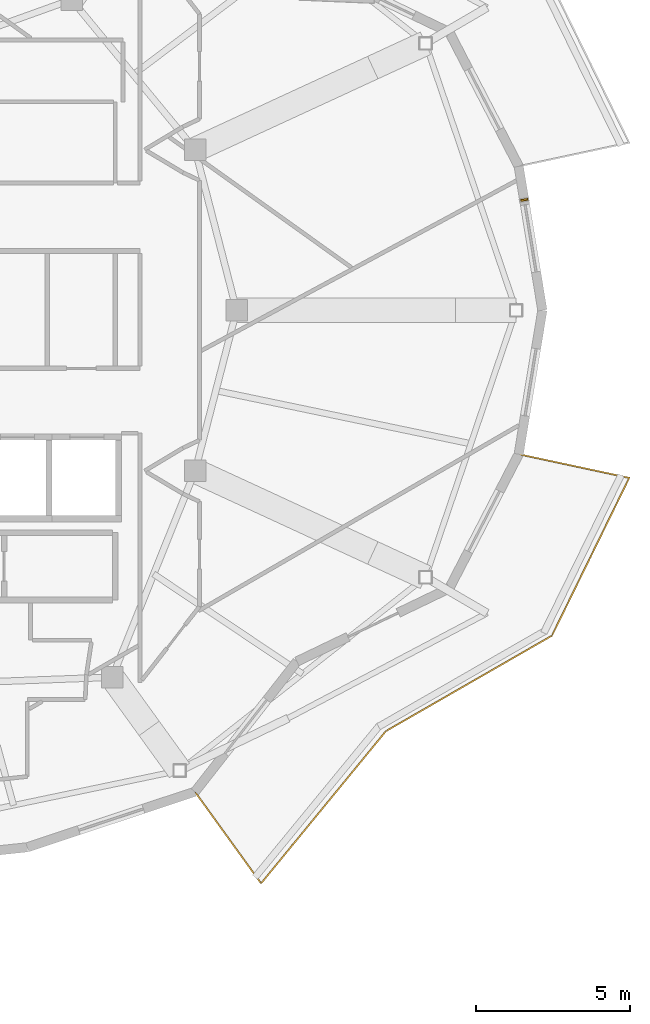
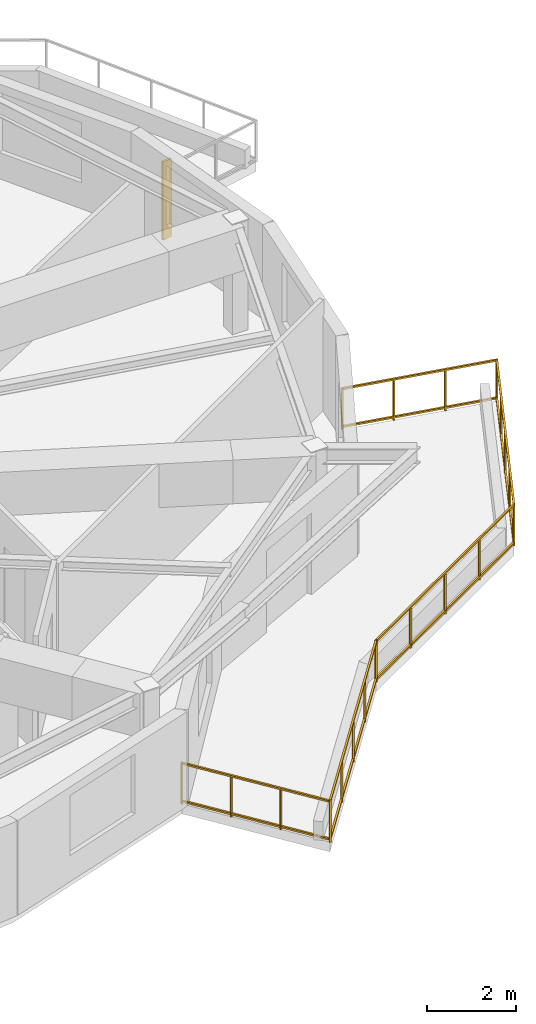
# One storey, part 10 of 11: 1 railing, 1 shading device.
"""IFC4 building model written with IfcOpenShell, lengths in metres."""

from ifc_helpers import new_model, si_unit, direction, frame, origin, origin_2d, place, context, subcontext, project, spatial, rectangle, extrude, material, type_object, element, save


model = new_model("IFC4")

# Units and contexts
model_context = context("Model", 3, precision=1e-05, world=origin(), true_north=direction((0.0, 1.0)))
body_context = subcontext(model_context, "Body", "Model", "MODEL_VIEW")
ifc_project = project(units=[si_unit("LENGTHUNIT", "METRE"), si_unit("AREAUNIT", "SQUARE_METRE"), si_unit("VOLUMEUNIT", "CUBIC_METRE"), si_unit("PLANEANGLEUNIT", "RADIAN"), si_unit("MASSUNIT", "GRAM", prefix="KILO")], contexts=[model_context])

# Site, building, storey
site_placement = place(None, origin())
site = spatial("IfcSite", under=ifc_project, at=site_placement, CompositionType="ELEMENT")
building_placement = place(site_placement, origin())
building = spatial("IfcBuilding", under=site, at=building_placement, Name="Kolvaren Gate Tower and Convention Centre", CompositionType="ELEMENT")
storey_placement = place(building_placement, frame((0.0, 0.0, 255.800048828125)))
storey = spatial("IfcBuildingStorey", under=building, at=storey_placement, Name="L69", CompositionType="ELEMENT", Elevation=255.800048828125)

# Railing
ifc_material_1 = material(Name="Brushed Stainless Steel Grade 316L", Category="steel")
railing_type = type_object("IfcRailingType", Name="ARCH-RL-GUARD-1150", PredefinedType="GUARDRAIL", material=ifc_material_1)
railing_placement = place(storey_placement, frame((41.375, 11.41162109375, 0.0)))
element("IfcRailing", 1, at=railing_placement, inside=storey, type_object=railing_type, Name="Tower L69 Terrace Perimeter Guardrail GR-4", PredefinedType="GUARDRAIL", context=body_context, shape_type="SweptSolid", body=[
    extrude(rectangle(XDim=0.048095703125, YDim=0.048095703125, at=origin_2d()), frame((0.016357421875, -0.022705078125, 1.1259765625), z_axis=(0.585181217189, -0.810902548429, 0.0), x_axis=(0.810902548429, 0.585181217189, 0.0)), (0.0, 0.0, 1.0), 3.60400390625),
    extrude(rectangle(XDim=0.048095703125, YDim=0.048095703125, at=origin_2d()), frame((0.016357421875, -0.022705078125, 0.083984375), z_axis=(0.585181217189, -0.810902548429, 0.0), x_axis=(0.810902548429, 0.585181217189, 0.0)), (0.0, 0.0, 1.0), 3.60400390625),
    extrude(rectangle(XDim=0.048095703125, YDim=0.048095703125, at=origin_2d()), frame((2.15966796875, -2.9462890625, 1.1259765625), z_axis=(0.634050293942, 0.773291810866, 0.0), x_axis=(-0.773291810866, 0.634050293942, 0.0)), (0.0, 0.0, 1.0), 6.322509765625),
    extrude(rectangle(XDim=0.048095703125, YDim=0.048095703125, at=origin_2d()), frame((2.15966796875, -2.9462890625, 0.083984375), z_axis=(0.634050293942, 0.773291810866, 0.0), x_axis=(-0.773291810866, 0.634050293942, 0.0)), (0.0, 0.0, 1.0), 6.322509765625),
    extrude(rectangle(XDim=0.048095703125, YDim=0.048095703125, at=origin_2d()), frame((6.210693359375, 1.978515625, 1.1259765625), z_axis=(0.866894385595, 0.498491849706, 0.0), x_axis=(-0.498491849706, 0.866894385595, 0.0)), (0.0, 0.0, 1.0), 6.140869140625),
    extrude(rectangle(XDim=0.048095703125, YDim=0.048095703125, at=origin_2d()), frame((6.210693359375, 1.978515625, 0.083984375), z_axis=(0.866894385595, 0.498491849706, 0.0), x_axis=(-0.498491849706, 0.866894385595, 0.0)), (0.0, 0.0, 1.0), 6.140869140625),
    extrude(rectangle(XDim=0.048095703125, YDim=0.048095703125, at=origin_2d()), frame((11.57080078125, 5.078857421875, 1.1259765625), z_axis=(0.440058847499, 0.897968936399, 0.0), x_axis=(-0.897968936399, 0.440058847499, 0.0)), (0.0, 0.0, 1.0), 5.63330078125),
    extrude(rectangle(XDim=0.048095703125, YDim=0.048095703125, at=origin_2d()), frame((11.57080078125, 5.078857421875, 0.083984375), z_axis=(0.440058847499, 0.897968936399, 0.0), x_axis=(-0.897968936399, 0.440058847499, 0.0)), (0.0, 0.0, 1.0), 5.63330078125),
    extrude(rectangle(XDim=0.048095703125, YDim=0.048095703125, at=origin_2d()), frame((14.03466796875, 10.16845703125, 1.1259765625), z_axis=(-0.977788745232, 0.209592866525, 0.0), x_axis=(-0.209592866525, -0.977788745232, 0.0)), (0.0, 0.0, 1.0), 3.603759765625),
    extrude(rectangle(XDim=0.048095703125, YDim=0.048095703125, at=origin_2d()), frame((14.03466796875, 10.16845703125, 0.083984375), z_axis=(-0.977788745232, 0.209592866525, 0.0), x_axis=(-0.209592866525, -0.977788745232, 0.0)), (0.0, 0.0, 1.0), 3.603759765625),
    extrude(rectangle(XDim=0.0419921875, YDim=0.0419921875, at=origin_2d()), origin(), (0.0, 0.0, 1.0), 1.14990234375),
    extrude(rectangle(XDim=0.0419921875, YDim=0.0419921875, at=origin_2d()), frame((2.141845703125, -2.968017578125, 0.0)), (0.0, 0.0, 1.0), 1.14990234375),
    extrude(rectangle(XDim=0.0419921875, YDim=0.0419921875, at=origin_2d()), frame((0.7138671875, -0.9892578125, 0.0)), (0.0, 0.0, 1.0), 1.099853515625),
    extrude(rectangle(XDim=0.0419921875, YDim=0.0419921875, at=origin_2d()), frame((1.427978515625, -1.978759765625, 0.0)), (0.0, 0.0, 1.0), 1.099853515625),
    extrude(rectangle(XDim=0.0419921875, YDim=0.0419921875, at=origin_2d()), frame((6.186279296875, 1.964599609375, 0.0)), (0.0, 0.0, 1.0), 1.14990234375),
    extrude(rectangle(XDim=0.0419921875, YDim=0.0419921875, at=origin_2d()), frame((3.15283203125, -1.73486328125, 0.0)), (0.0, 0.0, 1.0), 1.099853515625),
    extrude(rectangle(XDim=0.0419921875, YDim=0.0419921875, at=origin_2d()), frame((4.1640625, -0.501708984375, 0.0)), (0.0, 0.0, 1.0), 1.099853515625),
    extrude(rectangle(XDim=0.0419921875, YDim=0.0419921875, at=origin_2d()), frame((5.17529296875, 0.7314453125, 0.0)), (0.0, 0.0, 1.0), 1.099853515625),
    extrude(rectangle(XDim=0.0419921875, YDim=0.0419921875, at=origin_2d()), frame((11.558349609375, 5.0537109375, 0.0)), (0.0, 0.0, 1.0), 1.14990234375),
    extrude(rectangle(XDim=0.0419921875, YDim=0.0419921875, at=origin_2d()), frame((7.529296875, 2.73681640625, 0.0)), (0.0, 0.0, 1.0), 1.099853515625),
    extrude(rectangle(XDim=0.0419921875, YDim=0.0419921875, at=origin_2d()), frame((8.872314453125, 3.50927734375, 0.0)), (0.0, 0.0, 1.0), 1.099853515625),
    extrude(rectangle(XDim=0.0419921875, YDim=0.0419921875, at=origin_2d()), frame((10.21533203125, 4.281494140625, 0.0)), (0.0, 0.0, 1.0), 1.099853515625),
    extrude(rectangle(XDim=0.0419921875, YDim=0.0419921875, at=origin_2d()), frame((14.06201171875, 10.16259765625, 0.0)), (0.0, 0.0, 1.0), 1.14990234375),
    extrude(rectangle(XDim=0.0419921875, YDim=0.0419921875, at=origin_2d()), frame((12.184326171875, 6.3310546875, 0.0)), (0.0, 0.0, 1.0), 1.099853515625),
    extrude(rectangle(XDim=0.0419921875, YDim=0.0419921875, at=origin_2d()), frame((12.81005859375, 7.608154296875, 0.0)), (0.0, 0.0, 1.0), 1.099853515625),
    extrude(rectangle(XDim=0.0419921875, YDim=0.0419921875, at=origin_2d()), frame((13.43603515625, 8.88525390625, 0.0)), (0.0, 0.0, 1.0), 1.099853515625),
    extrude(rectangle(XDim=0.0419921875, YDim=0.0419921875, at=origin_2d()), frame((10.4833984375, 10.9296875, 0.0)), (0.0, 0.0, 1.0), 1.14990234375),
    extrude(rectangle(XDim=0.0419921875, YDim=0.0419921875, at=origin_2d()), frame((12.869140625, 10.418212890625, 0.0)), (0.0, 0.0, 1.0), 1.099853515625),
    extrude(rectangle(XDim=0.0419921875, YDim=0.0419921875, at=origin_2d()), frame((11.67626953125, 10.674072265625, 0.0)), (0.0, 0.0, 1.0), 1.099853515625),
])

# Shading device
ifc_material_2 = material(Name="Kiln-Fired Bogota Terracotta Ceramic Louvre Profile", Category="masonry")
shading_device_type = type_object("IfcShadingDeviceType", Name="ARCH-SHD-FIN-180", PredefinedType="JALOUSIE", material=ifc_material_2)
shading_device_placement = place(storey_placement, frame((52.037109375, 30.572265625, 0.219970703125), z_axis=(0.0, 0.0, 1.0), x_axis=(0.162389178836, -0.986726788223, 0.0)))
element("IfcShadingDevice", 2, at=shading_device_placement, inside=storey, type_object=shading_device_type, Name="Ceramic Vertical Brise-Soleil Fin FN-L69-00", PredefinedType="JALOUSIE", context=body_context, shape_type="SweptSolid", body=[
    extrude(rectangle(XDim=0.06005859375, YDim=0.239990234375, at=origin_2d()), origin(), (0.0, 0.0, 1.0), 2.14990234375),
])

save(model, "model.ifc")
